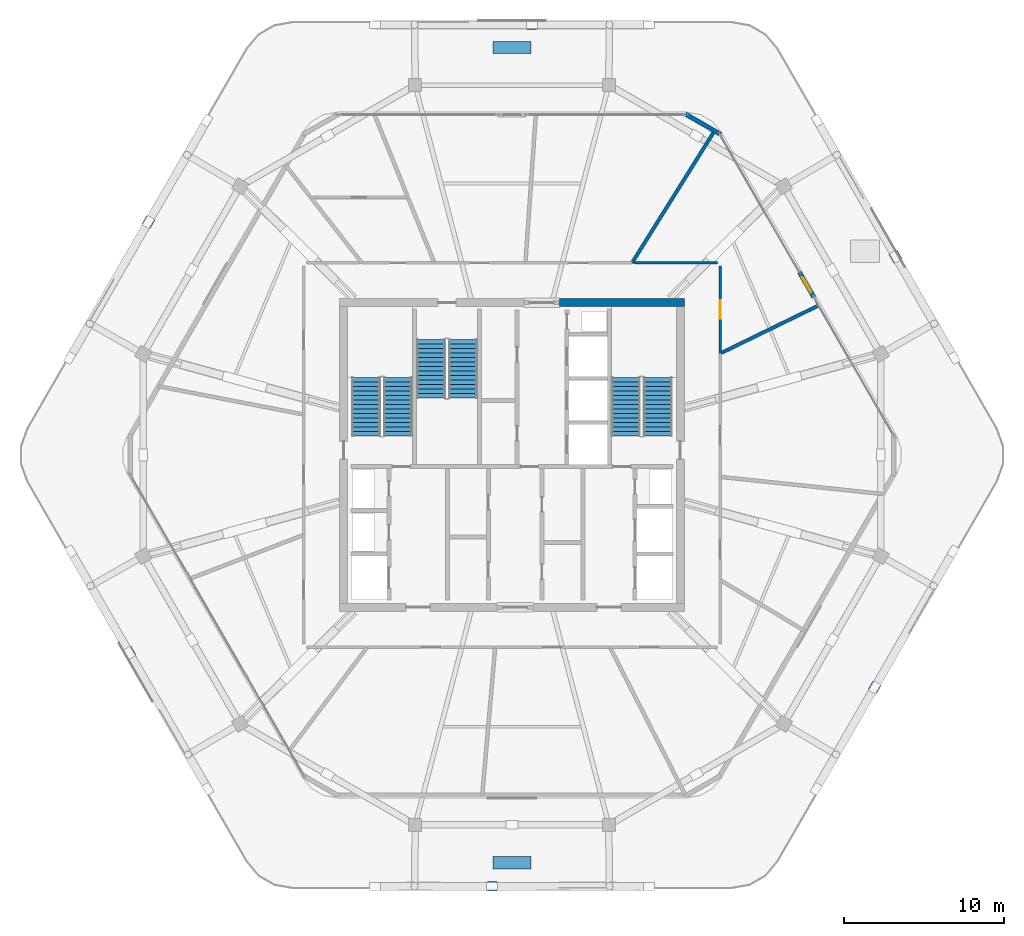
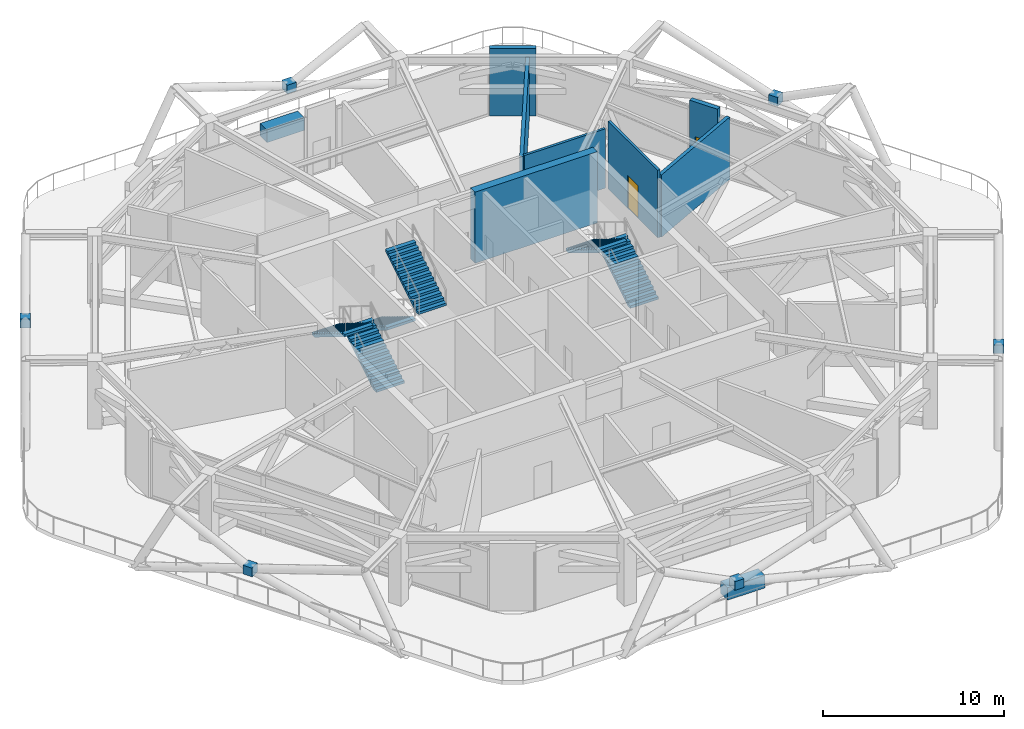
# One storey, part 15 of 19: 8 discrete accessories, 7 walls, 6 stair flights, 2 doors, 2 openings, 3 elements without a shape of their own.
"""IFC4 building model written with IfcOpenShell, lengths in metres."""

from ifc_helpers import new_model, si_unit, direction, frame, frame_2d, origin, origin_2d, place, context, subcontext, project, spatial, polyline, rectangle, outline, extrude, material, layer, layer_set, type_object, element, fill, aggregate, save


model = new_model("IFC4")

# Units and contexts
model_context = context("Model", 3, precision=1e-05, world=origin(), true_north=direction((0.0, 1.0)))
body_context = subcontext(model_context, "Body", "Model", "MODEL_VIEW")
ifc_project = project(units=[si_unit("LENGTHUNIT", "METRE"), si_unit("AREAUNIT", "SQUARE_METRE"), si_unit("VOLUMEUNIT", "CUBIC_METRE"), si_unit("PLANEANGLEUNIT", "RADIAN"), si_unit("MASSUNIT", "GRAM", prefix="KILO")], contexts=[model_context])

# Site, building, storey
site_placement = place(None, origin())
site = spatial("IfcSite", under=ifc_project, at=site_placement, CompositionType="ELEMENT")
building_placement = place(site_placement, origin())
building = spatial("IfcBuilding", under=site, at=building_placement, Name="Zuhravey Tower", CompositionType="ELEMENT")
storey_placement = place(building_placement, frame((0.0, 0.0, 303.39990234375)))
storey = spatial("IfcBuildingStorey", under=building, at=storey_placement, Name="L77", CompositionType="ELEMENT", Elevation=303.39990234375)

# Wall
ifc_material_1 = material(Name="Concrete C50/60", Category="concrete")
ifc_layer_1 = layer(ifc_material_1, 0.5)
ifc_layer_set_1 = layer_set([ifc_layer_1], Name="Concrete C50/60")
wall_type_1 = type_object("IfcWallType", Name="Core Shear Wall 500", PredefinedType="SHEAR", material=ifc_layer_set_1)
wall_1_placement = place(storey_placement, frame((46.75, 41.5, 0.0), z_axis=(0.0, 0.0, 1.0), x_axis=(-1.0, 0.0, 0.0)))
element("IfcWall", 1, at=wall_1_placement, inside=storey, type_object=wall_type_1, Name="L77 North-East Core Shear Wall CW50", PredefinedType="SHEAR", context=body_context, shape_type="SweptSolid", body=[
    extrude(rectangle(XDim=7.800048828125, YDim=0.5, at=frame_2d((3.89990234375, 0.0))), origin(), (0.0, 0.0, 1.0), 4.800048828125),
])

# Wall, opening, door
ifc_material_2 = material(Name="Gypsum fire-rated stud partition")
ifc_layer_2 = layer(ifc_material_2, 0.159912109375)
ifc_layer_set_2 = layer_set([ifc_layer_2], Name="Gypsum fire-rated stud partition")
wall_type_2 = type_object("IfcWallType", Name="Corridor Fire Partition 160", PredefinedType="PARTITIONING", material=ifc_layer_set_2)
wall_2_placement = place(storey_placement, frame((48.97998046875, 38.330810546875, 0.0), z_axis=(0.0, 0.0, 1.0), x_axis=(0.0, 1.0, 0.0)))
wall_2 = element("IfcWall", 2, at=wall_2_placement, inside=storey, type_object=wall_type_2, Name="L77 IW16 Partition 033", PredefinedType="PARTITIONING", context=body_context, shape_type="SweptSolid", body=[
    extrude(rectangle(XDim=5.46923828125, YDim=0.159912109375, at=frame_2d((2.734619140625, 0.0))), origin(), (0.0, 0.0, 1.0), 4.550048828125),
])
opening_1_placement = place(wall_2_placement, frame((2.15966796875, 0.0, 0.0)))
opening_1 = element("IfcOpeningElement", 3, at=opening_1_placement, cuts=wall_2, Name="Opening CLD1", PredefinedType="OPENING", context=body_context, shape_type="SweptSolid", body=[
    extrude(rectangle(XDim=1.14990234375, YDim=2.199951171875, at=frame_2d((0.574951171875, 1.10009765625))), frame((0.0, 0.092041015625, 0.0), z_axis=(0.0, -1.0, 0.0), x_axis=(1.0, 0.0, 0.0)), (0.0, 0.0, 1.0), 0.183837890625),
])
ifc_material_3 = material(Name="Acoustic timber leaf with vision lite", Category="wood")
door_type_1 = type_object("IfcDoorType", Name="Classroom Acoustic Door 1150x2200", OperationType="NOTDEFINED", PredefinedType="DOOR", material=ifc_material_3)
door_1_placement = place(opening_1_placement, origin())
door_1 = element("IfcDoor", 4, at=door_1_placement, inside=storey, type_object=door_type_1, Name="L77 Door 033.1", OperationType="SINGLE_SWING_LEFT", OverallHeight=2.199951171875, OverallWidth=1.14990234375, PredefinedType="DOOR", context=body_context, shape_type="SweptSolid", body=[
    extrude(rectangle(XDim=1.14990234375, YDim=2.199951171875, at=frame_2d((0.574951171875, 1.10009765625))), frame((0.0, 0.02490234375, 0.0), z_axis=(0.0, -1.0, 0.0), x_axis=(1.0, 0.0, 0.0)), (0.0, 0.0, 1.0), 0.050048828125),
])
fill(opening_1, door_1)

# Walls
wall_3_placement = place(storey_placement, frame((48.800048828125, 44.0, 0.0), z_axis=(0.0, 0.0, 1.0), x_axis=(-1.0, 0.0, 0.0)))
element("IfcWall", 5, at=wall_3_placement, inside=storey, type_object=wall_type_2, Name="L77 IW16 Partition 055", PredefinedType="PARTITIONING", context=body_context, shape_type="SweptSolid", body=[
    extrude(rectangle(XDim=5.16259765625, YDim=0.159912109375, at=frame_2d((2.581298828125, 0.0))), origin(), (0.0, 0.0, 1.0), 4.0),
])
ifc_material_4 = material(Name="Precast concrete C40/50", Category="concrete")
ifc_layer_3 = layer(ifc_material_4, 0.280029296875)
ifc_layer_set_3 = layer_set([ifc_layer_3], Name="Precast concrete C40/50")
wall_type_3 = type_object("IfcWallType", Name="Crown Architectural Wall 280", PredefinedType="SOLIDWALL", material=ifc_layer_set_3)
wall_4_placement = place(storey_placement, frame((46.80029296875, 53.271484375, 0.0), z_axis=(0.0, 0.0, 1.0), x_axis=(0.866014388206, -0.500019079056, 0.0)))
element("IfcWall", 6, at=wall_4_placement, inside=storey, type_object=wall_type_3, Name="L77 Rounded Corner Closure Wall EW28-10", PredefinedType="SOLIDWALL", context=body_context, shape_type="SweptSolid", body=[
    extrude(rectangle(XDim=2.56494140625, YDim=0.280029296875, at=frame_2d((1.282470703125, 0.0))), origin(), (0.0, 0.0, 1.0), 4.550048828125),
])

# Wall, opening, door
wall_5_placement = place(storey_placement, frame((53.93310546875, 43.38720703125, 0.0), z_axis=(0.0, 0.0, 1.0), x_axis=(0.49987987985, -0.866094744079, 0.0)))
wall_5 = element("IfcWall", 7, at=wall_5_placement, inside=storey, type_object=wall_type_3, Name="L77 Face 1 Facade Pier EW28-1", PredefinedType="SOLIDWALL", context=body_context, shape_type="SweptSolid", body=[
    extrude(rectangle(XDim=1.7900390625, YDim=0.280029296875, at=frame_2d((0.89501953125, 0.0))), origin(), (0.0, 0.0, 1.0), 4.550048828125),
])
opening_2_placement = place(wall_5_placement, frame((0.344970703125, 0.0, 0.0)))
opening_2 = element("IfcOpeningElement", 8, at=opening_2_placement, cuts=wall_5, Name="Opening BLD1", PredefinedType="OPENING", context=body_context, shape_type="SweptSolid", body=[
    extrude(rectangle(XDim=1.10009765625, YDim=2.199951171875, at=frame_2d((0.550048828125, 1.10009765625))), frame((0.0, 0.152099609375, 0.0), z_axis=(0.0, -1.0, 0.0), x_axis=(1.0, 0.0, 0.0)), (0.0, 0.0, 1.0), 0.303955078125),
])
ifc_material_5 = material(Name="Thermally broken aluminium and low-E glass", Category="aluminium")
door_type_2 = type_object("IfcDoorType", Name="Balcony & Sky-Tray Glazed Door 1100x2200", OperationType="NOTDEFINED", PredefinedType="DOOR", material=ifc_material_5)
door_2_placement = place(opening_2_placement, frame((1.10009765625, 0.0, 0.0), z_axis=(0.0, 0.0, 1.0), x_axis=(-1.0, 0.0, 0.0)))
door_2 = element("IfcDoor", 9, at=door_2_placement, inside=storey, type_object=door_type_2, Name="L77 Telemetry Control Plant Room Terrace Door", OperationType="SINGLE_SWING_RIGHT", OverallHeight=2.199951171875, OverallWidth=1.10009765625, PredefinedType="DOOR", context=body_context, shape_type="SweptSolid", body=[
    extrude(rectangle(XDim=1.10009765625, YDim=2.199951171875, at=frame_2d((0.550048828125, 1.10009765625))), frame((0.0, 0.02490234375, 0.0), z_axis=(0.0, -1.0, 0.0), x_axis=(1.0, 0.0, 0.0)), (0.0, 0.0, 1.0), 0.050048828125),
])
fill(opening_2, door_2)

# Walls
ifc_material_6 = material(Name="Gypsum acoustic stud assembly")
ifc_layer_4 = layer(ifc_material_6, 0.219970703125)
ifc_layer_set_4 = layer_set([ifc_layer_4], Name="Gypsum acoustic stud assembly")
wall_type_4 = type_object("IfcWallType", Name="School Acoustic Compartment Wall 220", PredefinedType="PARTITIONING", material=ifc_layer_set_4)
wall_6_placement = place(storey_placement, frame((43.48583984375, 43.97998046875, 0.0), z_axis=(0.0, 0.0, 1.0), x_axis=(0.529925360334, 0.848044286859, 0.0)))
element("IfcWall", 10, at=wall_6_placement, inside=storey, type_object=wall_type_4, Name="L77 IW22 Partition 038", PredefinedType="PARTITIONING", context=body_context, shape_type="SweptSolid", body=[
    extrude(rectangle(XDim=9.842529296875, YDim=0.219970703125, at=frame_2d((4.92138671875, 0.0))), origin(), (0.0, 0.0, 1.0), 3.97021484375),
])
wall_7_placement = place(storey_placement, frame((49.068115234375, 38.373779296875, 0.0), z_axis=(0.0, 0.0, 1.0), x_axis=(0.898798051303, 0.438362935219, 0.0)))
element("IfcWall", 11, at=wall_7_placement, inside=storey, type_object=wall_type_4, Name="L77 IW22 Partition 051", PredefinedType="PARTITIONING", context=body_context, shape_type="SweptSolid", body=[
    extrude(rectangle(XDim=6.736083984375, YDim=0.219970703125, at=frame_2d((3.3681640625, 0.0))), origin(), (0.0, 0.0, 1.0), 4.2001953125),
])

# Stair, stair flights
ifc_material_7 = material(Name="Concrete C40/50", Category="concrete")
stair_type = type_object("IfcStairType", Name="Refuge Storey Stair Assembly 4800", PredefinedType="HALF_TURN_STAIR", material=ifc_material_7)
stair_1_placement = place(storey_placement, origin())
stair_1 = element("IfcStair", 12, at=stair_1_placement, inside=storey, type_object=stair_type, Name="L77 Core Exit Stair ST1", PredefinedType="HALF_TURN_STAIR")
stair_flight_type = type_object("IfcStairFlightType", Name="Refuge Storey Stair Flight 4800", PredefinedType="STRAIGHT", material=ifc_material_7)
stair_flight_1_placement = place(storey_placement, frame((28.89990234375, 33.199951171875, 0.0), z_axis=(0.0, 0.0, 1.0), x_axis=(0.0, 1.0, 0.0)))
stair_flight_1 = element("IfcStairFlight", 13, at=stair_flight_1_placement, type_object=stair_flight_type, Name="ST1 flight 1", NumberOfRisers=14, NumberOfTreads=13, PredefinedType="STRAIGHT", RiserHeight=0.171428571, TreadLength=0.28, context=body_context, shape_type="SweptSolid", body=[
    extrude(outline(polyline([(0.0, 0.0), (0.0, 0.17138671875), (0.280029296875, 0.17138671875), (0.280029296875, 0.3427734375), (0.56005859375, 0.3427734375), (0.56005859375, 0.514404296875), (0.840087890625, 0.514404296875), (0.840087890625, 0.685791015625), (1.1201171875, 0.685791015625), (1.1201171875, 0.857177734375), (1.39990234375, 0.857177734375), (1.39990234375, 1.028564453125), (1.679931640625, 1.028564453125), (1.679931640625, 1.199951171875), (1.9599609375, 1.199951171875), (1.9599609375, 1.371337890625), (2.239990234375, 1.371337890625), (2.239990234375, 1.54296875), (2.52001953125, 1.54296875), (2.52001953125, 1.71435546875), (2.800048828125, 1.71435546875), (2.800048828125, 1.8857421875), (3.080078125, 1.8857421875), (3.080078125, 2.05712890625), (3.360107421875, 2.05712890625), (3.360107421875, 2.228515625), (3.639892578125, 2.228515625), (3.639892578125, 2.39990234375), (3.639892578125, 2.052734375), (0.287109375, 0.0), (0.0, 0.0)])), frame((0.0, 0.89990234375, 0.0), z_axis=(0.0, -1.0, 0.0), x_axis=(1.0, 0.0, 0.0)), (0.0, 0.0, 1.0), 1.800048828125),
])
stair_flight_2_placement = place(storey_placement, frame((26.89990234375, 36.840087890625, 2.400146484375), z_axis=(0.0, 0.0, 1.0), x_axis=(0.0, -1.0, 0.0)))
stair_flight_2 = element("IfcStairFlight", 14, at=stair_flight_2_placement, type_object=stair_flight_type, Name="ST1 flight 2", NumberOfRisers=14, NumberOfTreads=13, PredefinedType="STRAIGHT", RiserHeight=0.171428571, TreadLength=0.28, context=body_context, shape_type="SweptSolid", body=[
    extrude(outline(polyline([(0.0, 0.0), (0.0, 0.17138671875), (0.280029296875, 0.17138671875), (0.280029296875, 0.3427734375), (0.56005859375, 0.3427734375), (0.56005859375, 0.514404296875), (0.840087890625, 0.514404296875), (0.840087890625, 0.685791015625), (1.1201171875, 0.685791015625), (1.1201171875, 0.857177734375), (1.39990234375, 0.857177734375), (1.39990234375, 1.028564453125), (1.679931640625, 1.028564453125), (1.679931640625, 1.199951171875), (1.9599609375, 1.199951171875), (1.9599609375, 1.371337890625), (2.239990234375, 1.371337890625), (2.239990234375, 1.54296875), (2.52001953125, 1.54296875), (2.52001953125, 1.71435546875), (2.800048828125, 1.71435546875), (2.800048828125, 1.8857421875), (3.080078125, 1.8857421875), (3.080078125, 2.05712890625), (3.360107421875, 2.05712890625), (3.360107421875, 2.228515625), (3.639892578125, 2.228515625), (3.639892578125, 2.39990234375), (3.639892578125, 2.052734375), (0.287109375, 0.0), (0.0, 0.0)])), frame((0.0, 0.89990234375, 0.0), z_axis=(0.0, -1.0, 0.0), x_axis=(1.0, 0.0, 0.0)), (0.0, 0.0, 1.0), 1.800048828125),
])
aggregate(stair_1, [stair_flight_1, stair_flight_2])

stair_2_placement = place(storey_placement, origin())
stair_2 = element("IfcStair", 15, at=stair_2_placement, inside=storey, type_object=stair_type, Name="L77 Core Exit Stair ST2", PredefinedType="HALF_TURN_STAIR")
stair_flight_3_placement = place(storey_placement, frame((45.10009765625, 33.199951171875, 0.0), z_axis=(0.0, 0.0, 1.0), x_axis=(0.0, 1.0, 0.0)))
stair_flight_3 = element("IfcStairFlight", 16, at=stair_flight_3_placement, type_object=stair_flight_type, Name="ST2 flight 1", NumberOfRisers=14, NumberOfTreads=13, PredefinedType="STRAIGHT", RiserHeight=0.171428571, TreadLength=0.28, context=body_context, shape_type="SweptSolid", body=[
    extrude(outline(polyline([(0.0, 0.0), (0.0, 0.17138671875), (0.280029296875, 0.17138671875), (0.280029296875, 0.3427734375), (0.56005859375, 0.3427734375), (0.56005859375, 0.514404296875), (0.840087890625, 0.514404296875), (0.840087890625, 0.685791015625), (1.1201171875, 0.685791015625), (1.1201171875, 0.857177734375), (1.39990234375, 0.857177734375), (1.39990234375, 1.028564453125), (1.679931640625, 1.028564453125), (1.679931640625, 1.199951171875), (1.9599609375, 1.199951171875), (1.9599609375, 1.371337890625), (2.239990234375, 1.371337890625), (2.239990234375, 1.54296875), (2.52001953125, 1.54296875), (2.52001953125, 1.71435546875), (2.800048828125, 1.71435546875), (2.800048828125, 1.8857421875), (3.080078125, 1.8857421875), (3.080078125, 2.05712890625), (3.360107421875, 2.05712890625), (3.360107421875, 2.228515625), (3.639892578125, 2.228515625), (3.639892578125, 2.39990234375), (3.639892578125, 2.052734375), (0.287109375, 0.0), (0.0, 0.0)])), frame((0.0, 0.89990234375, 0.0), z_axis=(0.0, -1.0, 0.0), x_axis=(1.0, 0.0, 0.0)), (0.0, 0.0, 1.0), 1.800048828125),
])
stair_flight_4_placement = place(storey_placement, frame((43.10009765625, 36.840087890625, 2.400146484375), z_axis=(0.0, 0.0, 1.0), x_axis=(0.0, -1.0, 0.0)))
stair_flight_4 = element("IfcStairFlight", 17, at=stair_flight_4_placement, type_object=stair_flight_type, Name="ST2 flight 2", NumberOfRisers=14, NumberOfTreads=13, PredefinedType="STRAIGHT", RiserHeight=0.171428571, TreadLength=0.28, context=body_context, shape_type="SweptSolid", body=[
    extrude(outline(polyline([(0.0, 0.0), (0.0, 0.17138671875), (0.280029296875, 0.17138671875), (0.280029296875, 0.3427734375), (0.56005859375, 0.3427734375), (0.56005859375, 0.514404296875), (0.840087890625, 0.514404296875), (0.840087890625, 0.685791015625), (1.1201171875, 0.685791015625), (1.1201171875, 0.857177734375), (1.39990234375, 0.857177734375), (1.39990234375, 1.028564453125), (1.679931640625, 1.028564453125), (1.679931640625, 1.199951171875), (1.9599609375, 1.199951171875), (1.9599609375, 1.371337890625), (2.239990234375, 1.371337890625), (2.239990234375, 1.54296875), (2.52001953125, 1.54296875), (2.52001953125, 1.71435546875), (2.800048828125, 1.71435546875), (2.800048828125, 1.8857421875), (3.080078125, 1.8857421875), (3.080078125, 2.05712890625), (3.360107421875, 2.05712890625), (3.360107421875, 2.228515625), (3.639892578125, 2.228515625), (3.639892578125, 2.39990234375), (3.639892578125, 2.052734375), (0.287109375, 0.0), (0.0, 0.0)])), frame((0.0, 0.89990234375, 0.0), z_axis=(0.0, -1.0, 0.0), x_axis=(1.0, 0.0, 0.0)), (0.0, 0.0, 1.0), 1.800048828125),
])
aggregate(stair_2, [stair_flight_3, stair_flight_4])

stair_3_placement = place(storey_placement, origin())
stair_3 = element("IfcStair", 18, at=stair_3_placement, inside=storey, type_object=stair_type, Name="L77 Core Exit Stair ST3", PredefinedType="HALF_TURN_STAIR")
stair_flight_5_placement = place(storey_placement, frame((30.949951171875, 39.199951171875, 0.0), z_axis=(0.0, 0.0, 1.0), x_axis=(0.0, -1.0, 0.0)))
stair_flight_5 = element("IfcStairFlight", 19, at=stair_flight_5_placement, type_object=stair_flight_type, Name="ST3 flight 1", NumberOfRisers=14, NumberOfTreads=13, PredefinedType="STRAIGHT", RiserHeight=0.171428571, TreadLength=0.28, context=body_context, shape_type="SweptSolid", body=[
    extrude(outline(polyline([(0.0, 0.0), (0.0, 0.17138671875), (0.280029296875, 0.17138671875), (0.280029296875, 0.3427734375), (0.56005859375, 0.3427734375), (0.56005859375, 0.514404296875), (0.840087890625, 0.514404296875), (0.840087890625, 0.685791015625), (1.1201171875, 0.685791015625), (1.1201171875, 0.857177734375), (1.39990234375, 0.857177734375), (1.39990234375, 1.028564453125), (1.679931640625, 1.028564453125), (1.679931640625, 1.199951171875), (1.9599609375, 1.199951171875), (1.9599609375, 1.371337890625), (2.239990234375, 1.371337890625), (2.239990234375, 1.54296875), (2.52001953125, 1.54296875), (2.52001953125, 1.71435546875), (2.800048828125, 1.71435546875), (2.800048828125, 1.8857421875), (3.080078125, 1.8857421875), (3.080078125, 2.05712890625), (3.360107421875, 2.05712890625), (3.360107421875, 2.228515625), (3.639892578125, 2.228515625), (3.639892578125, 2.39990234375), (3.639892578125, 2.052734375), (0.287109375, 0.0), (0.0, 0.0)])), frame((0.0, 0.89990234375, 0.0), z_axis=(0.0, -1.0, 0.0), x_axis=(1.0, 0.0, 0.0)), (0.0, 0.0, 1.0), 1.800048828125),
])
stair_flight_6_placement = place(storey_placement, frame((32.949951171875, 35.56005859375, 2.400146484375), z_axis=(0.0, 0.0, 1.0), x_axis=(0.0, 1.0, 0.0)))
stair_flight_6 = element("IfcStairFlight", 20, at=stair_flight_6_placement, type_object=stair_flight_type, Name="ST3 flight 2", NumberOfRisers=14, NumberOfTreads=13, PredefinedType="STRAIGHT", RiserHeight=0.171428571, TreadLength=0.28, context=body_context, shape_type="SweptSolid", body=[
    extrude(outline(polyline([(0.0, 0.0), (0.0, 0.17138671875), (0.280029296875, 0.17138671875), (0.280029296875, 0.3427734375), (0.56005859375, 0.3427734375), (0.56005859375, 0.514404296875), (0.840087890625, 0.514404296875), (0.840087890625, 0.685791015625), (1.1201171875, 0.685791015625), (1.1201171875, 0.857177734375), (1.39990234375, 0.857177734375), (1.39990234375, 1.028564453125), (1.679931640625, 1.028564453125), (1.679931640625, 1.199951171875), (1.9599609375, 1.199951171875), (1.9599609375, 1.371337890625), (2.239990234375, 1.371337890625), (2.239990234375, 1.54296875), (2.52001953125, 1.54296875), (2.52001953125, 1.71435546875), (2.800048828125, 1.71435546875), (2.800048828125, 1.8857421875), (3.080078125, 1.8857421875), (3.080078125, 2.05712890625), (3.360107421875, 2.05712890625), (3.360107421875, 2.228515625), (3.639892578125, 2.228515625), (3.639892578125, 2.39990234375), (3.639892578125, 2.052734375), (0.287109375, 0.0), (0.0, 0.0)])), frame((0.0, 0.89990234375, 0.0), z_axis=(0.0, -1.0, 0.0), x_axis=(1.0, 0.0, 0.0)), (0.0, 0.0, 1.0), 1.800048828125),
])
aggregate(stair_3, [stair_flight_5, stair_flight_6])

# Discrete accessories
ifc_material_8 = material(Name="Steel SM355", Category="steel")
discrete_accessory_type_1 = type_object("IfcDiscreteAccessoryType", Name="Exoskeleton Support Bracket", PredefinedType="BRACKET", material=ifc_material_8)
for number, where, z_axis, x_axis, name in (
    (21, (59.91796875, 44.3759765625, 1.627197265625), (0.0, 0.0, 1.0), (-0.5, 0.866025403784, 0.0), "L77 Face 1 Diagrid X-Crossing Collar BRK1"),
    (22, (37.2412109375, 58.833984375, 1.627197265625), (0.0, 0.0, 1.0), (-1.0, 0.0, 0.0), "L77 Face 2 Diagrid X-Crossing Collar BRK1"),
    (23, (13.322998046875, 46.525634765625, 1.627197265625), (0.0, 0.0, 1.0), (-0.5, -0.866025403784, 0.0), "L77 Face 3 Diagrid X-Crossing Collar BRK1"),
    (24, (12.140380859375, 19.65771484375, 1.627197265625), (0.0, 0.0, 1.0), (0.5, -0.866025403784, 0.0), "L77 Face 4 Diagrid X-Crossing Collar BRK1"),
    (25, (34.7587890625, 5.098388671875, 1.627197265625), (0.0, 0.0, 1.0), (1.0, 0.0, 0.0), "L77 Face 5 Diagrid X-Crossing Collar BRK1"),
    (26, (58.618408203125, 17.50830078125, 1.627197265625), (0.0, 0.0, 1.0), (0.5, 0.866025403784, 0.0), "L77 Face 6 Diagrid X-Crossing Collar BRK1"),
):
    element("IfcDiscreteAccessory", number, at=place(storey_placement, frame(where, z_axis=z_axis, x_axis=x_axis)), inside=storey, type_object=discrete_accessory_type_1, Name=name, PredefinedType="BRACKET", context=body_context, shape_type="SweptSolid", body=[
        extrude(rectangle(XDim=0.587890625, YDim=0.587890625, at=origin_2d()), origin(), (0.0, 0.0, 1.0), 0.587890625),
    ])
ifc_material_9 = material(Name="Architectural GRC planter with planting soil")
discrete_accessory_type_2 = type_object("IfcDiscreteAccessoryType", Name="Sky-Garden Structural Planter", PredefinedType="USERDEFINED", material=ifc_material_9)
for number, where, z_axis, x_axis, name in (
    (27, (36.0, 57.426513671875, 0.0), (0.0, 0.0, 1.0), (-1.0, 0.0, 0.0), "L77 Sky-Garden Planter PLN1-1"),
    (28, (36.0, 6.573486328125, 0.0), (0.0, 0.0, 1.0), (1.0, 0.0, 0.0), "L77 Sky-Garden Planter PLN1-2"),
):
    element("IfcDiscreteAccessory", number, at=place(storey_placement, frame(where, z_axis=z_axis, x_axis=x_axis)), inside=storey, type_object=discrete_accessory_type_2, Name=name, ObjectType="PLANTER", PredefinedType="USERDEFINED", context=body_context, shape_type="SweptSolid", body=[
        extrude(rectangle(XDim=2.39990234375, YDim=0.75, at=origin_2d()), origin(), (0.0, 0.0, 1.0), 0.85009765625),
    ])

save(model, "model.ifc")
